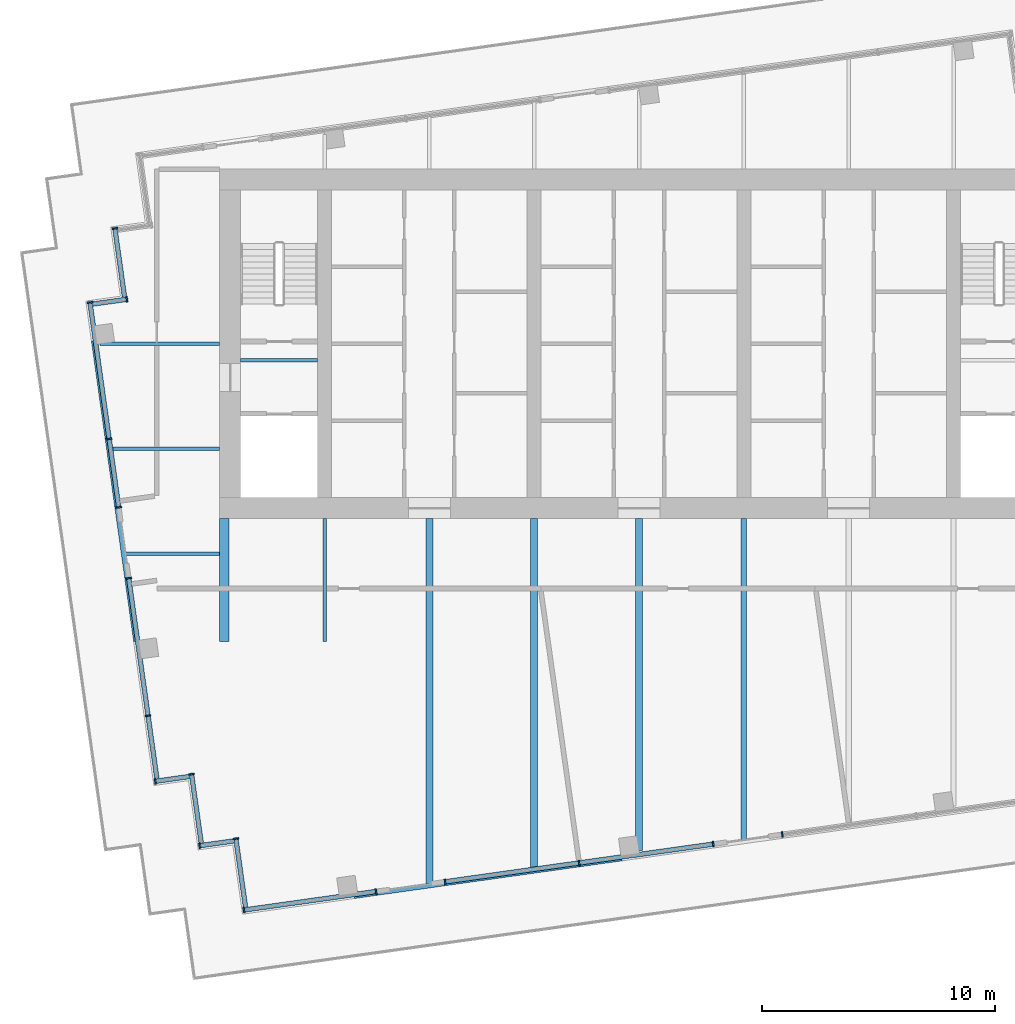
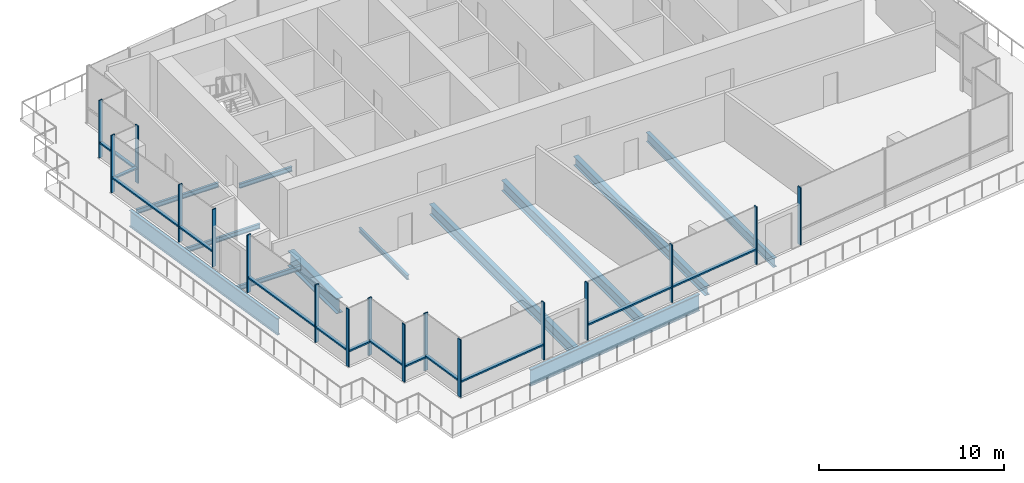
# One storey, part 2 of 12: 30 members, 12 beams, 11 elements without a shape of their own.
"""IFC4 building model written with IfcOpenShell, lengths in metres."""

from ifc_helpers import new_model, si_unit, direction, frame, origin, origin_2d, place, context, subcontext, project, spatial, rectangle, i_section, extrude, material, layer, layer_set, material_profile, profile_set, type_object, element, aggregate, save


model = new_model("IFC4")

# Units and contexts
model_context = context("Model", 3, precision=1e-05, world=origin(), true_north=direction((0.0, 1.0)))
body_context = subcontext(model_context, "Body", "Model", "MODEL_VIEW")
ifc_project = project(units=[si_unit("LENGTHUNIT", "METRE"), si_unit("AREAUNIT", "SQUARE_METRE"), si_unit("VOLUMEUNIT", "CUBIC_METRE"), si_unit("PLANEANGLEUNIT", "RADIAN"), si_unit("MASSUNIT", "GRAM", prefix="KILO")], contexts=[model_context])

# Site, building, storey
site_placement = place(None, origin())
site = spatial("IfcSite", under=ifc_project, at=site_placement, CompositionType="ELEMENT")
building_placement = place(site_placement, origin())
building = spatial("IfcBuilding", under=site, at=building_placement, Name="Rattan Terrace Tower", CompositionType="ELEMENT")
storey_placement = place(building_placement, frame((0.0, 0.0, 292.300048828125)))
storey = spatial("IfcBuildingStorey", under=building, at=storey_placement, Name="C01", CompositionType="ELEMENT", Elevation=292.300048828125)

# Beams
ifc_material_1 = material(Name="Steel S460", Category="steel")
ifc_material_profile_1 = material_profile(ifc_material_1, i_section(OverallWidth=0.39990234375, OverallDepth=1.0, WebThickness=0.01806640625, FlangeThickness=0.044921875, at=origin_2d()), Name="PG 1000x400-18-45")
ifc_profile_set_1 = profile_set([ifc_material_profile_1], Name="Steel S460")
beam_type_1 = type_object("IfcBeamType", Name="Frame core girder PG 1000x400-18-45", PredefinedType="BEAM", material=ifc_profile_set_1)
beam_1_placement = place(storey_placement, frame((-17.800048828125, -12.77001953125, -0.699951171875), z_axis=(0.0, 1.0, 0.0), x_axis=(-1.0, 0.0, 0.0)))
element("IfcBeam", 1, at=beam_1_placement, inside=storey, type_object=beam_type_1, Name="gdr-C01-006", PredefinedType="BEAM", context=body_context, shape_type="SweptSolid", body=[
    extrude(i_section(OverallWidth=0.39990234375, OverallDepth=1.0, WebThickness=0.01806640625, FlangeThickness=0.044921875, at=origin_2d()), origin(), (0.0, 0.0, 1.0), 5.27001953125),
])
ifc_material_2 = material(Name="Steel S460", Category="steel")
ifc_material_profile_2 = material_profile(ifc_material_2, i_section(OverallWidth=0.179931640625, OverallDepth=1.10009765625, WebThickness=0.01611328125, FlangeThickness=0.050048828125, at=origin_2d()), Name="PG 1100x180-16-50")
ifc_profile_set_2 = profile_set([ifc_material_profile_2], Name="Steel S460")
beam_type_2 = type_object("IfcBeamType", Name="Frame edge girder PG 1100x180-16-50", PredefinedType="SPANDREL", material=ifc_profile_set_2)
beam_2_placement = place(storey_placement, frame((-12.22998046875, -23.719970703125, -0.75), z_axis=(0.99025947763, 0.13923421621, 0.0), x_axis=(-0.13923421621, 0.99025947763, 0.0)))
element("IfcBeam", 2, at=beam_2_placement, inside=storey, type_object=beam_type_2, Name="gdr-C01-001", PredefinedType="SPANDREL", context=body_context, shape_type="SweptSolid", body=[
    extrude(i_section(OverallWidth=0.179931640625, OverallDepth=1.10009765625, WebThickness=0.01611328125, FlangeThickness=0.050048828125, at=origin_2d()), origin(), (0.0, 0.0, 1.0), 11.613037109375),
])
beam_3_placement = place(storey_placement, frame((-23.416015625, 0.1298828125, -0.75), z_axis=(0.139175000863, -0.990267801726, 0.0), x_axis=(0.990267801726, 0.139175000863, 0.0)))
element("IfcBeam", 3, at=beam_3_placement, inside=storey, type_object=beam_type_2, Name="gdr-C01-003", PredefinedType="SPANDREL", context=body_context, shape_type="SweptSolid", body=[
    extrude(i_section(OverallWidth=0.179931640625, OverallDepth=1.10009765625, WebThickness=0.01611328125, FlangeThickness=0.050048828125, at=origin_2d()), origin(), (0.0, 0.0, 1.0), 13.026611328125),
])
ifc_material_3 = material(Name="Steel S355", Category="steel")
ifc_material_profile_3 = material_profile(ifc_material_3, i_section(OverallWidth=0.300048828125, OverallDepth=0.60009765625, WebThickness=0.015380859375, FlangeThickness=0.030029296875, FilletRadius=0.027099609375, at=origin_2d()), Name="HE 600 B")
ifc_profile_set_3 = profile_set([ifc_material_profile_3], Name="Steel S355")
beam_type_3 = type_object("IfcBeamType", Name="Frame floor beam HE 600 B", PredefinedType="JOIST", material=ifc_profile_set_3)
beam_4_placement = place(storey_placement, frame((0.0, -21.743896484375, -0.5), z_axis=(0.0, 1.0, 0.0), x_axis=(-1.0, 0.0, 0.0)))
element("IfcBeam", 4, at=beam_4_placement, inside=storey, type_object=beam_type_3, Name="bm-C01-005", PredefinedType="JOIST", context=body_context, shape_type="SweptSolid", body=[
    extrude(i_section(OverallWidth=0.300048828125, OverallDepth=0.60009765625, WebThickness=0.015380859375, FlangeThickness=0.030029296875, FilletRadius=0.027099609375, at=origin_2d()), origin(), (0.0, 0.0, 1.0), 14.243896484375),
])
ifc_material_4 = material(Name="Steel S355", Category="steel")
ifc_material_profile_4 = material_profile(ifc_material_4, i_section(OverallWidth=0.300048828125, OverallDepth=0.699951171875, WebThickness=0.01708984375, FlangeThickness=0.031982421875, FilletRadius=0.027099609375, at=origin_2d()), Name="HE 700 B")
ifc_profile_set_4 = profile_set([ifc_material_profile_4], Name="Steel S355")
beam_type_4 = type_object("IfcBeamType", Name="Frame floor beam HE 700 B", PredefinedType="JOIST", material=ifc_profile_set_4)
beam_5_placement = place(storey_placement, frame((-9.0, -23.175048828125, -0.550048828125), z_axis=(0.0, 1.0, 0.0), x_axis=(-1.0, 0.0, 0.0)))
element("IfcBeam", 5, at=beam_5_placement, inside=storey, type_object=beam_type_4, Name="bm-C01-003", PredefinedType="JOIST", context=body_context, shape_type="SweptSolid", body=[
    extrude(i_section(OverallWidth=0.300048828125, OverallDepth=0.699951171875, WebThickness=0.01708984375, FlangeThickness=0.031982421875, FilletRadius=0.027099609375, at=origin_2d()), origin(), (0.0, 0.0, 1.0), 15.675048828125),
])
beam_6_placement = place(storey_placement, frame((-4.5, -22.5419921875, -0.550048828125), z_axis=(0.0, 1.0, 0.0), x_axis=(-1.0, 0.0, 0.0)))
element("IfcBeam", 6, at=beam_6_placement, inside=storey, type_object=beam_type_4, Name="bm-C01-004", PredefinedType="JOIST", context=body_context, shape_type="SweptSolid", body=[
    extrude(i_section(OverallWidth=0.300048828125, OverallDepth=0.699951171875, WebThickness=0.01708984375, FlangeThickness=0.031982421875, FilletRadius=0.027099609375, at=origin_2d()), origin(), (0.0, 0.0, 1.0), 15.0419921875),
])
ifc_material_5 = material(Name="Steel S355", Category="steel")
ifc_material_profile_5 = material_profile(ifc_material_5, i_section(OverallWidth=0.14990234375, OverallDepth=0.300048828125, WebThickness=0.007080078125, FlangeThickness=0.0107421875, FilletRadius=0.014892578125, at=origin_2d()), Name="IPE 300")
ifc_profile_set_5 = profile_set([ifc_material_profile_5], Name="Steel S355")
beam_type_5 = type_object("IfcBeamType", Name="Frame floor beam IPE 300", PredefinedType="JOIST", material=ifc_profile_set_5)
beam_7_placement = place(storey_placement, frame((-17.10009765625, -0.695068359375, -0.35009765625), z_axis=(1.0, 0.0, 0.0), x_axis=(0.0, 1.0, 0.0)))
element("IfcBeam", 7, at=beam_7_placement, inside=storey, type_object=beam_type_5, Name="bm-C01-001", PredefinedType="JOIST", context=body_context, shape_type="SweptSolid", body=[
    extrude(i_section(OverallWidth=0.14990234375, OverallDepth=0.300048828125, WebThickness=0.007080078125, FlangeThickness=0.0107421875, FilletRadius=0.014892578125, at=origin_2d()), origin(), (0.0, 0.0, 1.0), 3.300048828125),
])
beam_8_placement = place(storey_placement, frame((-13.5, -12.77001953125, -0.35009765625), z_axis=(0.0, 1.0, 0.0), x_axis=(-1.0, 0.0, 0.0)))
element("IfcBeam", 8, at=beam_8_placement, inside=storey, type_object=beam_type_5, Name="bm-C01-009", PredefinedType="JOIST", context=body_context, shape_type="SweptSolid", body=[
    extrude(i_section(OverallWidth=0.14990234375, OverallDepth=0.300048828125, WebThickness=0.007080078125, FlangeThickness=0.0107421875, FilletRadius=0.014892578125, at=origin_2d()), origin(), (0.0, 0.0, 1.0), 5.27001953125),
])
beam_9_placement = place(storey_placement, frame((-22.0419921875, -9.0, -0.35009765625), z_axis=(1.0, 0.0, 0.0), x_axis=(0.0, 1.0, 0.0)))
element("IfcBeam", 9, at=beam_9_placement, inside=storey, type_object=beam_type_5, Name="bm-C01-010", PredefinedType="JOIST", context=body_context, shape_type="SweptSolid", body=[
    extrude(i_section(OverallWidth=0.14990234375, OverallDepth=0.300048828125, WebThickness=0.007080078125, FlangeThickness=0.0107421875, FilletRadius=0.014892578125, at=origin_2d()), origin(), (0.0, 0.0, 1.0), 4.0419921875),
])
beam_10_placement = place(storey_placement, frame((-22.674072265625, -4.5, -0.35009765625), z_axis=(1.0, 0.0, 0.0), x_axis=(0.0, 1.0, 0.0)))
element("IfcBeam", 10, at=beam_10_placement, inside=storey, type_object=beam_type_5, Name="bm-C01-011", PredefinedType="JOIST", context=body_context, shape_type="SweptSolid", body=[
    extrude(i_section(OverallWidth=0.14990234375, OverallDepth=0.300048828125, WebThickness=0.007080078125, FlangeThickness=0.0107421875, FilletRadius=0.014892578125, at=origin_2d()), origin(), (0.0, 0.0, 1.0), 4.674072265625),
])
beam_11_placement = place(storey_placement, frame((-23.14111328125, 0.0, -0.35009765625), z_axis=(1.0, 0.0, 0.0), x_axis=(0.0, 1.0, 0.0)))
element("IfcBeam", 11, at=beam_11_placement, inside=storey, type_object=beam_type_5, Name="bm-C01-012", PredefinedType="JOIST", context=body_context, shape_type="SweptSolid", body=[
    extrude(i_section(OverallWidth=0.14990234375, OverallDepth=0.300048828125, WebThickness=0.007080078125, FlangeThickness=0.0107421875, FilletRadius=0.014892578125, at=origin_2d()), origin(), (0.0, 0.0, 1.0), 5.14111328125),
])
ifc_material_6 = material(Name="Steel S355", Category="steel")
ifc_material_profile_6 = material_profile(ifc_material_6, i_section(OverallWidth=0.22412109375, OverallDepth=0.610107421875, WebThickness=0.014892578125, FlangeThickness=0.02392578125, FilletRadius=0.02392578125, at=origin_2d()), Name="IPE O 600")
ifc_profile_set_6 = profile_set([ifc_material_profile_6], Name="Steel S355")
beam_type_6 = type_object("IfcBeamType", Name="Frame floor beam IPE O 600", PredefinedType="JOIST", material=ifc_profile_set_6)
beam_12_placement = place(storey_placement, frame((4.5, -21.277099609375, -0.505126953125), z_axis=(0.0, 1.0, 0.0), x_axis=(-1.0, 0.0, 0.0)))
element("IfcBeam", 12, at=beam_12_placement, inside=storey, type_object=beam_type_6, Name="bm-C01-006", PredefinedType="JOIST", context=body_context, shape_type="SweptSolid", body=[
    extrude(i_section(OverallWidth=0.22412109375, OverallDepth=0.610107421875, WebThickness=0.014892578125, FlangeThickness=0.02392578125, FilletRadius=0.02392578125, at=origin_2d()), origin(), (0.0, 0.0, 1.0), 13.777099609375),
])

# Curtain wall, members
ifc_material_7 = material(Name="Aluminium and laminated glass", Category="aluminium")
ifc_layer = layer(ifc_material_7, 0.239990234375)
ifc_layer_set = layer_set([ifc_layer], Name="Lantern Stick Curtain Wall")
curtain_wall_type = type_object("IfcCurtainWallType", Name="Lantern Stick Curtain Wall", PredefinedType="NOTDEFINED", material=ifc_layer_set)
curtain_wall_1_placement = place(storey_placement, origin())
curtain_wall_1 = element("IfcCurtainWall", 13, at=curtain_wall_1_placement, inside=storey, type_object=curtain_wall_type, Name="Lantern curtain wall C01-1", PredefinedType="NOTDEFINED")
ifc_material_8 = material(Name="Aluminium", Category="aluminium")
ifc_material_profile_7 = material_profile(ifc_material_8, rectangle(XDim=0.070068359375, YDim=0.239990234375, at=origin_2d()), Name="Aluminium 70x240")
ifc_profile_set_7 = profile_set([ifc_material_profile_7], Name="Aluminium")
member_type_1 = type_object("IfcMemberType", Name="Lantern CW Mullion 70x240", PredefinedType="MULLION", material=ifc_profile_set_7)
member_1_placement = place(storey_placement, frame((-23.56689453125, 1.776611328125, 0.0), z_axis=(0.0, 0.0, 1.0), x_axis=(0.139187707455, -0.990266015823, 0.0)))
member_1 = element("IfcMember", 14, at=member_1_placement, type_object=member_type_1, Name="Mullion cwl-C01-001.1", PredefinedType="MULLION", context=body_context, shape_type="SweptSolid", body=[
    extrude(rectangle(XDim=0.070068359375, YDim=0.239990234375, at=origin_2d()), origin(), (0.0, 0.0, 1.0), 3.800048828125),
])
member_2_placement = place(storey_placement, frame((-22.74365234375, -4.080810546875, 0.0), z_axis=(0.0, 0.0, 1.0), x_axis=(0.139187707455, -0.990266015823, 0.0)))
member_2 = element("IfcMember", 15, at=member_2_placement, type_object=member_type_1, Name="Mullion cwl-C01-001.2", PredefinedType="MULLION", context=body_context, shape_type="SweptSolid", body=[
    extrude(rectangle(XDim=0.070068359375, YDim=0.239990234375, at=origin_2d()), origin(), (0.0, 0.0, 1.0), 3.800048828125),
])
member_3_placement = place(storey_placement, frame((-22.330810546875, -7.01708984375, 0.0), z_axis=(0.0, 0.0, 1.0), x_axis=(0.139187707455, -0.990266015823, 0.0)))
member_3 = element("IfcMember", 16, at=member_3_placement, type_object=member_type_1, Name="Mullion cwl-C01-001.3", PredefinedType="MULLION", context=body_context, shape_type="SweptSolid", body=[
    extrude(rectangle(XDim=0.070068359375, YDim=0.239990234375, at=origin_2d()), origin(), (0.0, 0.0, 1.0), 3.800048828125),
])

curtain_wall_2_placement = place(storey_placement, origin())
curtain_wall_2 = element("IfcCurtainWall", 17, at=curtain_wall_2_placement, inside=storey, type_object=curtain_wall_type, Name="Lantern curtain wall C01-2", PredefinedType="NOTDEFINED")
member_4_placement = place(storey_placement, frame((-21.903564453125, -10.05712890625, 0.0), z_axis=(0.0, 0.0, 1.0), x_axis=(0.139187707455, -0.990266015823, 0.0)))
member_4 = element("IfcMember", 18, at=member_4_placement, type_object=member_type_1, Name="Mullion cwl-C01-002.1", PredefinedType="MULLION", context=body_context, shape_type="SweptSolid", body=[
    extrude(rectangle(XDim=0.070068359375, YDim=0.239990234375, at=origin_2d()), origin(), (0.0, 0.0, 1.0), 3.800048828125),
])
member_5_placement = place(storey_placement, frame((-21.0732421875, -15.964111328125, 0.0), z_axis=(0.0, 0.0, 1.0), x_axis=(0.139187707455, -0.990266015823, 0.0)))
member_5 = element("IfcMember", 19, at=member_5_placement, type_object=member_type_1, Name="Mullion cwl-C01-002.2", PredefinedType="MULLION", context=body_context, shape_type="SweptSolid", body=[
    extrude(rectangle(XDim=0.070068359375, YDim=0.239990234375, at=origin_2d()), origin(), (0.0, 0.0, 1.0), 3.800048828125),
])

# Curtain wall, member
curtain_wall_3_placement = place(storey_placement, origin())
curtain_wall_3 = element("IfcCurtainWall", 20, at=curtain_wall_3_placement, inside=storey, type_object=curtain_wall_type, Name="Lantern curtain wall C01-3", PredefinedType="NOTDEFINED")
member_6_placement = place(storey_placement, frame((-20.763427734375, -18.77880859375, 0.0), z_axis=(0.0, 0.0, 1.0), x_axis=(0.990227803001, 0.139459306479, 0.0)))
member_6 = element("IfcMember", 21, at=member_6_placement, type_object=member_type_1, Name="Mullion cwl-C01-003.1", PredefinedType="MULLION", context=body_context, shape_type="SweptSolid", body=[
    extrude(rectangle(XDim=0.070068359375, YDim=0.239990234375, at=origin_2d()), origin(), (0.0, 0.0, 1.0), 3.800048828125),
])

curtain_wall_4_placement = place(storey_placement, origin())
curtain_wall_4 = element("IfcCurtainWall", 22, at=curtain_wall_4_placement, inside=storey, type_object=curtain_wall_type, Name="Lantern curtain wall C01-4", PredefinedType="NOTDEFINED")
member_7_placement = place(storey_placement, frame((-19.207275390625, -18.473876953125, 0.0), z_axis=(0.0, 0.0, 1.0), x_axis=(0.139555918709, -0.990214191755, 0.0)))
member_7 = element("IfcMember", 23, at=member_7_placement, type_object=member_type_1, Name="Mullion cwl-C01-004.1", PredefinedType="MULLION", context=body_context, shape_type="SweptSolid", body=[
    extrude(rectangle(XDim=0.070068359375, YDim=0.239990234375, at=origin_2d()), origin(), (0.0, 0.0, 1.0), 3.800048828125),
])

curtain_wall_5_placement = place(storey_placement, origin())
curtain_wall_5 = element("IfcCurtainWall", 24, at=curtain_wall_5_placement, inside=storey, type_object=curtain_wall_type, Name="Lantern curtain wall C01-5", PredefinedType="NOTDEFINED")
member_8_placement = place(storey_placement, frame((-18.860595703125, -21.54296875, 0.0), z_axis=(0.0, 0.0, 1.0), x_axis=(0.990319742912, 0.13880492354, 0.0)))
member_8 = element("IfcMember", 25, at=member_8_placement, type_object=member_type_1, Name="Mullion cwl-C01-005.1", PredefinedType="MULLION", context=body_context, shape_type="SweptSolid", body=[
    extrude(rectangle(XDim=0.070068359375, YDim=0.239990234375, at=origin_2d()), origin(), (0.0, 0.0, 1.0), 3.800048828125),
])

curtain_wall_6_placement = place(storey_placement, origin())
curtain_wall_6 = element("IfcCurtainWall", 26, at=curtain_wall_6_placement, inside=storey, type_object=curtain_wall_type, Name="Lantern curtain wall C01-6", PredefinedType="NOTDEFINED")
member_9_placement = place(storey_placement, frame((-17.30419921875, -21.239013671875, 0.0), z_axis=(0.0, 0.0, 1.0), x_axis=(0.139413247769, -0.990234288614, 0.0)))
member_9 = element("IfcMember", 27, at=member_9_placement, type_object=member_type_1, Name="Mullion cwl-C01-006.1", PredefinedType="MULLION", context=body_context, shape_type="SweptSolid", body=[
    extrude(rectangle(XDim=0.070068359375, YDim=0.239990234375, at=origin_2d()), origin(), (0.0, 0.0, 1.0), 3.800048828125),
])

# Curtain wall, members
curtain_wall_7_placement = place(storey_placement, origin())
curtain_wall_7 = element("IfcCurtainWall", 28, at=curtain_wall_7_placement, inside=storey, type_object=curtain_wall_type, Name="Lantern curtain wall C01-7", PredefinedType="NOTDEFINED")
member_10_placement = place(storey_placement, frame((-16.95849609375, -24.3037109375, 0.0), z_axis=(0.0, 0.0, 1.0), x_axis=(0.990266952226, 0.13918104515, 0.0)))
member_10 = element("IfcMember", 29, at=member_10_placement, type_object=member_type_1, Name="Mullion cwl-C01-007.1", PredefinedType="MULLION", context=body_context, shape_type="SweptSolid", body=[
    extrude(rectangle(XDim=0.070068359375, YDim=0.239990234375, at=origin_2d()), origin(), (0.0, 0.0, 1.0), 3.800048828125),
])
member_11_placement = place(storey_placement, frame((-11.288330078125, -23.5068359375, 0.0), z_axis=(0.0, 0.0, 1.0), x_axis=(0.990266952226, 0.13918104515, 0.0)))
member_11 = element("IfcMember", 30, at=member_11_placement, type_object=member_type_1, Name="Mullion cwl-C01-007.2", PredefinedType="MULLION", context=body_context, shape_type="SweptSolid", body=[
    extrude(rectangle(XDim=0.070068359375, YDim=0.239990234375, at=origin_2d()), origin(), (0.0, 0.0, 1.0), 3.800048828125),
])

curtain_wall_8_placement = place(storey_placement, origin())
curtain_wall_8 = element("IfcCurtainWall", 31, at=curtain_wall_8_placement, inside=storey, type_object=curtain_wall_type, Name="Lantern curtain wall C01-8", PredefinedType="NOTDEFINED")
member_12_placement = place(storey_placement, frame((-8.324462890625, -23.09033203125, 0.0), z_axis=(0.0, 0.0, 1.0), x_axis=(0.990266952226, 0.13918104515, 0.0)))
member_12 = element("IfcMember", 32, at=member_12_placement, type_object=member_type_1, Name="Mullion cwl-C01-008.1", PredefinedType="MULLION", context=body_context, shape_type="SweptSolid", body=[
    extrude(rectangle(XDim=0.070068359375, YDim=0.239990234375, at=origin_2d()), origin(), (0.0, 0.0, 1.0), 3.800048828125),
])
member_13_placement = place(storey_placement, frame((-2.570068359375, -22.281494140625, 0.0), z_axis=(0.0, 0.0, 1.0), x_axis=(0.990266952226, 0.13918104515, 0.0)))
member_13 = element("IfcMember", 33, at=member_13_placement, type_object=member_type_1, Name="Mullion cwl-C01-008.2", PredefinedType="MULLION", context=body_context, shape_type="SweptSolid", body=[
    extrude(rectangle(XDim=0.070068359375, YDim=0.239990234375, at=origin_2d()), origin(), (0.0, 0.0, 1.0), 3.800048828125),
])
member_14_placement = place(storey_placement, frame((3.1845703125, -21.47265625, 0.0), z_axis=(0.0, 0.0, 1.0), x_axis=(0.990266952226, 0.13918104515, 0.0)))
member_14 = element("IfcMember", 34, at=member_14_placement, type_object=member_type_1, Name="Mullion cwl-C01-008.3", PredefinedType="MULLION", context=body_context, shape_type="SweptSolid", body=[
    extrude(rectangle(XDim=0.070068359375, YDim=0.239990234375, at=origin_2d()), origin(), (0.0, 0.0, 1.0), 3.800048828125),
])

# Curtain wall, member
curtain_wall_9_placement = place(storey_placement, origin())
curtain_wall_9 = element("IfcCurtainWall", 35, at=curtain_wall_9_placement, inside=storey, type_object=curtain_wall_type, Name="Lantern curtain wall C01-9", PredefinedType="NOTDEFINED")
member_15_placement = place(storey_placement, frame((6.1484375, -21.05615234375, 0.0), z_axis=(0.0, 0.0, 1.0), x_axis=(0.990266952226, 0.13918104515, 0.0)))
member_15 = element("IfcMember", 36, at=member_15_placement, type_object=member_type_1, Name="Mullion cwl-C01-009.1", PredefinedType="MULLION", context=body_context, shape_type="SweptSolid", body=[
    extrude(rectangle(XDim=0.070068359375, YDim=0.239990234375, at=origin_2d()), origin(), (0.0, 0.0, 1.0), 3.800048828125),
])
aggregate(curtain_wall_9, [member_15])

curtain_wall_10_placement = place(storey_placement, origin())
curtain_wall_10 = element("IfcCurtainWall", 37, at=curtain_wall_10_placement, inside=storey, type_object=curtain_wall_type, Name="Lantern curtain wall C01-25", PredefinedType="NOTDEFINED")
member_16_placement = place(storey_placement, frame((-22.498779296875, 4.95556640625, 0.0), z_axis=(0.0, 0.0, 1.0), x_axis=(0.139367219175, -0.990240767803, 0.0)))
member_16 = element("IfcMember", 38, at=member_16_placement, type_object=member_type_1, Name="Mullion cwl-C01-025.1", PredefinedType="MULLION", context=body_context, shape_type="SweptSolid", body=[
    extrude(rectangle(XDim=0.070068359375, YDim=0.239990234375, at=origin_2d()), origin(), (0.0, 0.0, 1.0), 3.800048828125),
])

curtain_wall_11_placement = place(storey_placement, origin())
curtain_wall_11 = element("IfcCurtainWall", 39, at=curtain_wall_11_placement, inside=storey, type_object=curtain_wall_type, Name="Lantern curtain wall C01-26", PredefinedType="NOTDEFINED")
member_17_placement = place(storey_placement, frame((-21.98486328125, 1.9130859375, 0.0), z_axis=(0.0, 0.0, 1.0), x_axis=(-0.99025370695, -0.139275252184, 0.0)))
member_17 = element("IfcMember", 40, at=member_17_placement, type_object=member_type_1, Name="Mullion cwl-C01-026.1", PredefinedType="MULLION", context=body_context, shape_type="SweptSolid", body=[
    extrude(rectangle(XDim=0.070068359375, YDim=0.239990234375, at=origin_2d()), origin(), (0.0, 0.0, 1.0), 3.800048828125),
])

# Member
ifc_material_9 = material(Name="Aluminium", Category="aluminium")
ifc_material_profile_8 = material_profile(ifc_material_9, rectangle(XDim=0.199951171875, YDim=0.10009765625, at=origin_2d()), Name="Aluminium 200x100")
ifc_profile_set_8 = profile_set([ifc_material_profile_8], Name="Aluminium")
member_type_2 = type_object("IfcMemberType", Name="Lantern CW Transom 200x100", PredefinedType="USERDEFINED", material=ifc_profile_set_8)
member_18_placement = place(storey_placement, frame((-23.56201171875, 1.741943359375, 1.0), z_axis=(0.139216432116, -0.990261977978, 0.0), x_axis=(0.990261977978, 0.139216432116, 0.0)))
member_18 = element("IfcMember", 41, at=member_18_placement, type_object=member_type_2, Name="Transom cwl-C01-001.1", ObjectType="TRANSOM", PredefinedType="USERDEFINED", context=body_context, shape_type="SweptSolid", body=[
    extrude(rectangle(XDim=0.199951171875, YDim=0.10009765625, at=origin_2d()), origin(), (0.0, 0.0, 1.0), 5.844970703125),
])

member_19_placement = place(storey_placement, frame((-22.73876953125, -4.115478515625, 1.0), z_axis=(0.139225113729, -0.990260757431, 0.0), x_axis=(0.990260757431, 0.139225113729, 0.0)))
member_19 = element("IfcMember", 42, at=member_19_placement, type_object=member_type_2, Name="Transom cwl-C01-001.2", ObjectType="TRANSOM", PredefinedType="USERDEFINED", context=body_context, shape_type="SweptSolid", body=[
    extrude(rectangle(XDim=0.199951171875, YDim=0.10009765625, at=origin_2d()), origin(), (0.0, 0.0, 1.0), 2.89501953125),
])

aggregate(curtain_wall_1, [member_1, member_2, member_3, member_18, member_19])

member_20_placement = place(storey_placement, frame((-21.898681640625, -10.091796875, 1.0), z_axis=(0.139194548424, -0.99026505426, 0.0), x_axis=(0.99026505426, 0.139194548424, 0.0)))
member_20 = element("IfcMember", 43, at=member_20_placement, type_object=member_type_2, Name="Transom cwl-C01-002.1", ObjectType="TRANSOM", PredefinedType="USERDEFINED", context=body_context, shape_type="SweptSolid", body=[
    extrude(rectangle(XDim=0.199951171875, YDim=0.10009765625, at=origin_2d()), origin(), (0.0, 0.0, 1.0), 5.89501953125),
])

member_21_placement = place(storey_placement, frame((-21.068359375, -15.998779296875, 1.0), z_axis=(0.139159755343, -0.990269944254, 0.0), x_axis=(0.990269944254, 0.139159755343, 0.0)))
member_21 = element("IfcMember", 44, at=member_21_placement, type_object=member_type_2, Name="Transom cwl-C01-002.2", ObjectType="TRANSOM", PredefinedType="USERDEFINED", context=body_context, shape_type="SweptSolid", body=[
    extrude(rectangle(XDim=0.199951171875, YDim=0.10009765625, at=origin_2d()), origin(), (0.0, 0.0, 1.0), 2.675537109375),
])

aggregate(curtain_wall_2, [member_4, member_5, member_20, member_21])

member_22_placement = place(storey_placement, frame((-20.728759765625, -18.77392578125, 1.0), z_axis=(0.990227834808, 0.139459080636, 0.0), x_axis=(-0.139459080636, 0.990227834808, 0.0)))
member_22 = element("IfcMember", 45, at=member_22_placement, type_object=member_type_2, Name="Transom cwl-C01-003.1", ObjectType="TRANSOM", PredefinedType="USERDEFINED", context=body_context, shape_type="SweptSolid", body=[
    extrude(rectangle(XDim=0.199951171875, YDim=0.10009765625, at=origin_2d()), origin(), (0.0, 0.0, 1.0), 1.428466796875),
])

aggregate(curtain_wall_3, [member_6, member_22])

member_23_placement = place(storey_placement, frame((-19.202392578125, -18.508544921875, 1.0), z_axis=(0.139532909028, -0.990217434354, 0.0), x_axis=(0.990217434354, 0.139532909028, 0.0)))
member_23 = element("IfcMember", 46, at=member_23_placement, type_object=member_type_2, Name="Transom cwl-C01-004.1", ObjectType="TRANSOM", PredefinedType="USERDEFINED", context=body_context, shape_type="SweptSolid", body=[
    extrude(rectangle(XDim=0.199951171875, YDim=0.10009765625, at=origin_2d()), origin(), (0.0, 0.0, 1.0), 2.9326171875),
])

aggregate(curtain_wall_4, [member_7, member_23])

member_24_placement = place(storey_placement, frame((-18.825927734375, -21.5380859375, 1.0), z_axis=(0.990301815941, 0.13893276555, 0.0), x_axis=(-0.13893276555, 0.990301815941, 0.0)))
member_24 = element("IfcMember", 47, at=member_24_placement, type_object=member_type_2, Name="Transom cwl-C01-005.1", ObjectType="TRANSOM", PredefinedType="USERDEFINED", context=body_context, shape_type="SweptSolid", body=[
    extrude(rectangle(XDim=0.199951171875, YDim=0.10009765625, at=origin_2d()), origin(), (0.0, 0.0, 1.0), 1.4287109375),
])

aggregate(curtain_wall_5, [member_8, member_24])

member_25_placement = place(storey_placement, frame((-17.29931640625, -21.2734375, 1.0), z_axis=(0.139401737802, -0.990235909013, 0.0), x_axis=(0.990235909013, 0.139401737802, 0.0)))
member_25 = element("IfcMember", 48, at=member_25_placement, type_object=member_type_2, Name="Transom cwl-C01-006.1", ObjectType="TRANSOM", PredefinedType="USERDEFINED", context=body_context, shape_type="SweptSolid", body=[
    extrude(rectangle(XDim=0.199951171875, YDim=0.10009765625, at=origin_2d()), origin(), (0.0, 0.0, 1.0), 2.92822265625),
])

aggregate(curtain_wall_6, [member_9, member_25])

member_26_placement = place(storey_placement, frame((-16.923828125, -24.299072265625, 1.0), z_axis=(0.990262995278, 0.139209195753, 0.0), x_axis=(-0.139209195753, 0.990262995278, 0.0)))
member_26 = element("IfcMember", 49, at=member_26_placement, type_object=member_type_2, Name="Transom cwl-C01-007.1", ObjectType="TRANSOM", PredefinedType="USERDEFINED", context=body_context, shape_type="SweptSolid", body=[
    extrude(rectangle(XDim=0.199951171875, YDim=0.10009765625, at=origin_2d()), origin(), (0.0, 0.0, 1.0), 5.656005859375),
])

aggregate(curtain_wall_7, [member_10, member_11, member_26])

member_27_placement = place(storey_placement, frame((-8.289794921875, -23.08544921875, 1.0), z_axis=(0.990266746635, 0.139182507912, 0.0), x_axis=(-0.139182507912, 0.990266746635, 0.0)))
member_27 = element("IfcMember", 50, at=member_27_placement, type_object=member_type_2, Name="Transom cwl-C01-008.1", ObjectType="TRANSOM", PredefinedType="USERDEFINED", context=body_context, shape_type="SweptSolid", body=[
    extrude(rectangle(XDim=0.199951171875, YDim=0.10009765625, at=origin_2d()), origin(), (0.0, 0.0, 1.0), 5.7412109375),
])

member_28_placement = place(storey_placement, frame((-2.535400390625, -22.276611328125, 1.0), z_axis=(0.990266746635, 0.139182507912, 0.0), x_axis=(-0.139182507912, 0.990266746635, 0.0)))
member_28 = element("IfcMember", 51, at=member_28_placement, type_object=member_type_2, Name="Transom cwl-C01-008.2", ObjectType="TRANSOM", PredefinedType="USERDEFINED", context=body_context, shape_type="SweptSolid", body=[
    extrude(rectangle(XDim=0.199951171875, YDim=0.10009765625, at=origin_2d()), origin(), (0.0, 0.0, 1.0), 5.7412109375),
])

aggregate(curtain_wall_8, [member_12, member_13, member_14, member_27, member_28])

member_29_placement = place(storey_placement, frame((-22.493896484375, 4.9208984375, 1.0), z_axis=(0.139355716724, -0.990242386599, 0.0), x_axis=(0.990242386599, 0.139355716724, 0.0)))
member_29 = element("IfcMember", 52, at=member_29_placement, type_object=member_type_2, Name="Transom cwl-C01-025.1", ObjectType="TRANSOM", PredefinedType="USERDEFINED", context=body_context, shape_type="SweptSolid", body=[
    extrude(rectangle(XDim=0.199951171875, YDim=0.10009765625, at=origin_2d()), origin(), (0.0, 0.0, 1.0), 2.92919921875),
])

aggregate(curtain_wall_10, [member_16, member_29])

member_30_placement = place(storey_placement, frame((-22.01953125, 1.908203125, 1.0), z_axis=(-0.990257681856, -0.139246987488, 0.0), x_axis=(0.139246987488, -0.990257681856, 0.0)))
member_30 = element("IfcMember", 53, at=member_30_placement, type_object=member_type_2, Name="Transom cwl-C01-026.1", ObjectType="TRANSOM", PredefinedType="USERDEFINED", context=body_context, shape_type="SweptSolid", body=[
    extrude(rectangle(XDim=0.199951171875, YDim=0.10009765625, at=origin_2d()), origin(), (0.0, 0.0, 1.0), 1.4306640625),
])

aggregate(curtain_wall_11, [member_17, member_30])

save(model, "model.ifc")
